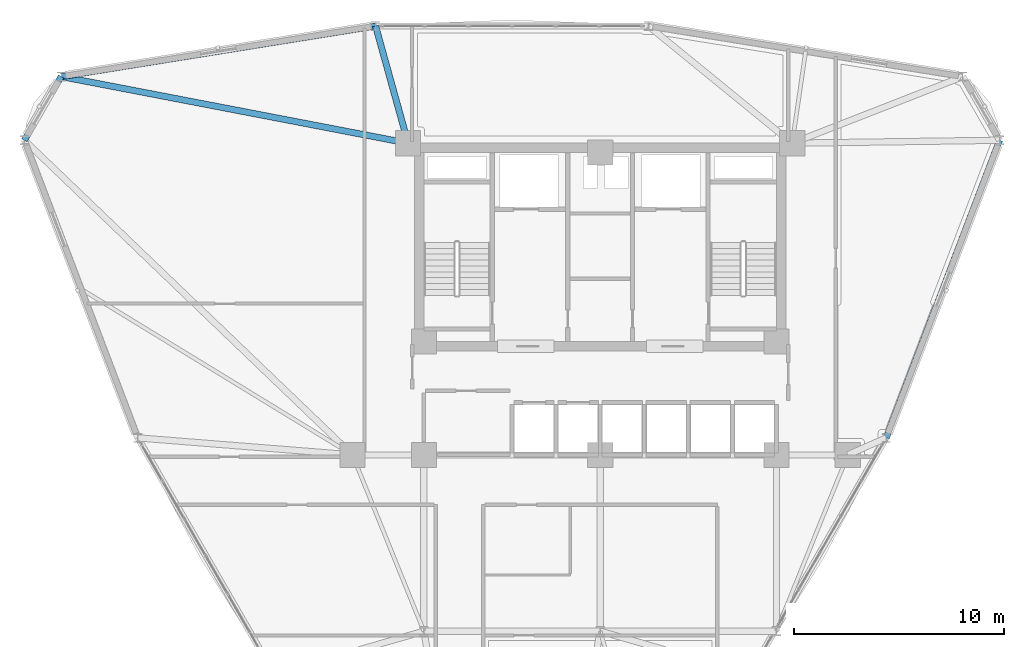
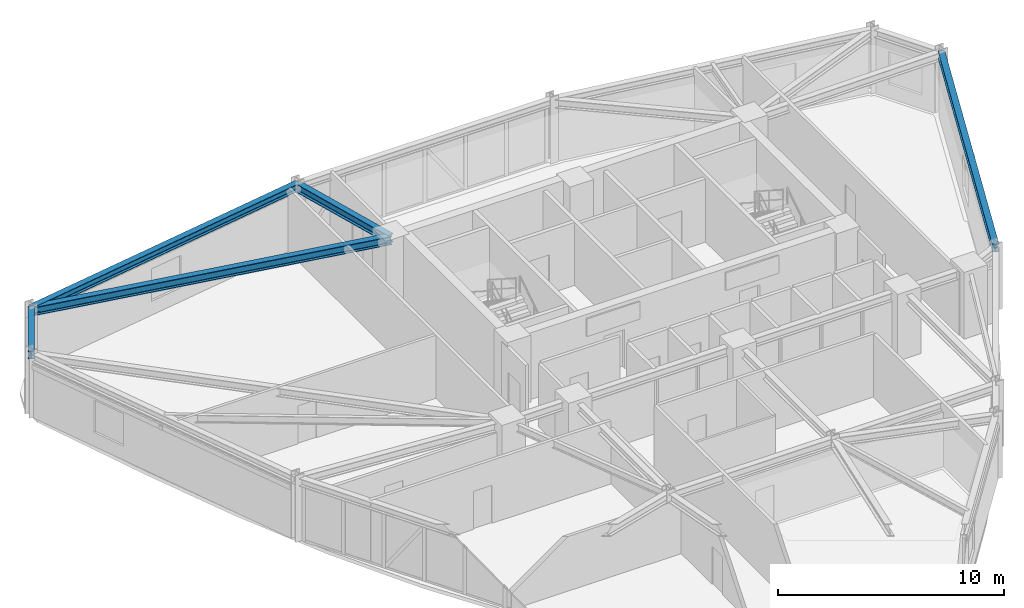
# One storey, part 7 of 15: 5 beams.
"""IFC4 building model written with IfcOpenShell, lengths in metres."""

from ifc_helpers import new_model, si_unit, derived_unit, direction, frame, origin, origin_2d, place, context, subcontext, project, spatial, i_section, extrude, source, transform, mapped, material, material_profile, profile_set, type_object, element, save


model = new_model("IFC4")

# Units and contexts
model_context = context("Model", 3, precision=1e-05, world=origin(), true_north=direction((0.0, 1.0)))
body_context = subcontext(model_context, "Body", "Model", "MODEL_VIEW")
ifc_project = project(units=[si_unit("LENGTHUNIT", "METRE"), si_unit("AREAUNIT", "SQUARE_METRE"), si_unit("VOLUMEUNIT", "CUBIC_METRE"), si_unit("PLANEANGLEUNIT", "RADIAN"), si_unit("MASSUNIT", "GRAM", prefix="KILO"), derived_unit("THERMALTRANSMITTANCEUNIT", [(si_unit("POWERUNIT", "WATT"), 1), (si_unit("LENGTHUNIT", "METRE"), -2), (si_unit("THERMODYNAMICTEMPERATUREUNIT", "KELVIN"), -1)])], contexts=[model_context])

# Site, building, storey
site_placement = place(None, origin())
site = spatial("IfcSite", under=ifc_project, at=site_placement, CompositionType="ELEMENT")
building_placement = place(site_placement, origin())
building = spatial("IfcBuilding", under=site, at=building_placement, Name="Korsvarv Bourse and Concert Hall", CompositionType="ELEMENT")
storey_placement = place(building_placement, frame((0.0, 0.0, 150.60009765625)))
storey = spatial("IfcBuildingStorey", under=building, at=storey_placement, Name="L38", CompositionType="ELEMENT", Elevation=150.60009765625)

# Beams
ifc_material = material(Name="Steel S355", Category="steel")
ifc_material_profile_1 = material_profile(ifc_material, i_section(OverallWidth=0.300048828125, OverallDepth=0.39990234375, WebThickness=0.013427734375, FlangeThickness=0.02392578125, FilletRadius=0.02099609375, at=origin_2d()), Name="HEB 400")
ifc_profile_set_1 = profile_set([ifc_material_profile_1], Name="Steel S355")
beam_type_1 = type_object("IfcBeamType", Name="BM-HEB400", PredefinedType="SPANDREL", material=ifc_profile_set_1)
shared_shape_1 = source(origin(), body_context, "Body", "SweptSolid", [
    extrude(i_section(OverallWidth=0.300048828125, OverallDepth=0.39990234375, WebThickness=0.013427734375, FlangeThickness=0.02392578125, FilletRadius=0.02099609375, at=origin_2d()), origin(), (0.0, 0.0, 1.0), 3.505859375),
])
beam_1_placement = place(storey_placement, frame((10.31884765625, 50.42626953125, 3.199951171875), z_axis=(-0.500003763204, -0.866023231087, 0.0), x_axis=(0.866023231087, -0.500003763204, 0.0)))
element("IfcBeam", 1, at=beam_1_placement, inside=storey, type_object=beam_type_1, Name="L38 beam B-09", PredefinedType="SPANDREL", context=body_context, shape_type="MappedRepresentation", body=[
    mapped(shared_shape_1, transform((0.0, 0.0, 0.0), scale=1.0)),
])
shared_shape_2 = source(origin(), body_context, "Body", "SweptSolid", [
    extrude(i_section(OverallWidth=0.300048828125, OverallDepth=0.39990234375, WebThickness=0.013427734375, FlangeThickness=0.02392578125, FilletRadius=0.02099609375, at=origin_2d()), origin(), (0.0, 0.0, 1.0), 15.173095703125),
])
for number, where, z_axis, x_axis, name in (
    (2, (25.29931640625, 52.83642578125, 3.199951171875), (-0.987303708497, -0.158843908251, 0.0), (0.158843908251, -0.987303708497, 0.0), "L38 beam B-09"),
    (3, (49.631103515625, 33.211669921875, 3.199951171875), (0.356082310226, 0.934454594052, 0.0), (-0.934454594052, 0.356082310226, 0.0), "L38 beam B-09"),
):
    element("IfcBeam", number, at=place(storey_placement, frame(where, z_axis=z_axis, x_axis=x_axis)), inside=storey, type_object=beam_type_1, Name=name, PredefinedType="SPANDREL", context=body_context, shape_type="MappedRepresentation", body=[
        mapped(shared_shape_2, transform((0.0, 0.0, 0.0), scale=1.0)),
    ])
ifc_material_profile_2 = material_profile(ifc_material, i_section(OverallWidth=0.300048828125, OverallDepth=0.449951171875, WebThickness=0.013916015625, FlangeThickness=0.02587890625, FilletRadius=0.02099609375, at=origin_2d()), Name="HEB 450")
ifc_profile_set_2 = profile_set([ifc_material_profile_2], Name="Steel S355")
beam_type_2 = type_object("IfcBeamType", Name="BM-HEB450", PredefinedType="SPANDREL", material=ifc_profile_set_2)
shared_shape_3 = source(origin(), body_context, "Body", "SweptSolid", [
    extrude(i_section(OverallWidth=0.300048828125, OverallDepth=0.449951171875, WebThickness=0.013916015625, FlangeThickness=0.02587890625, FilletRadius=0.02099609375, at=origin_2d()), origin(), (0.0, 0.0, 1.0), 5.797607421875),
])
beam_2_placement = place(storey_placement, frame((25.29931640625, 52.83642578125, 3.1748046875), z_axis=(0.267483141987, -0.963562540136, 0.0), x_axis=(0.963562540136, 0.267483141987, 0.0)))
element("IfcBeam", 4, at=beam_2_placement, inside=storey, type_object=beam_type_2, Name="L38 beam B-08", PredefinedType="SPANDREL", context=body_context, shape_type="MappedRepresentation", body=[
    mapped(shared_shape_3, transform((0.0, 0.0, 0.0), scale=1.0)),
])
shared_shape_4 = source(origin(), body_context, "Body", "SweptSolid", [
    extrude(i_section(OverallWidth=0.300048828125, OverallDepth=0.449951171875, WebThickness=0.013916015625, FlangeThickness=0.02587890625, FilletRadius=0.02099609375, at=origin_2d()), origin(), (0.0, 0.0, 1.0), 16.833740234375),
])
beam_3_placement = place(storey_placement, frame((10.31884765625, 50.42626953125, 3.1748046875), z_axis=(0.982037467571, -0.18868601508, 0.0), x_axis=(0.18868601508, 0.982037467571, 0.0)))
element("IfcBeam", 5, at=beam_3_placement, inside=storey, type_object=beam_type_2, Name="L38 beam B-08", PredefinedType="SPANDREL", context=body_context, shape_type="MappedRepresentation", body=[
    mapped(shared_shape_4, transform((0.0, 0.0, 0.0), scale=1.0)),
])

save(model, "model.ifc")
